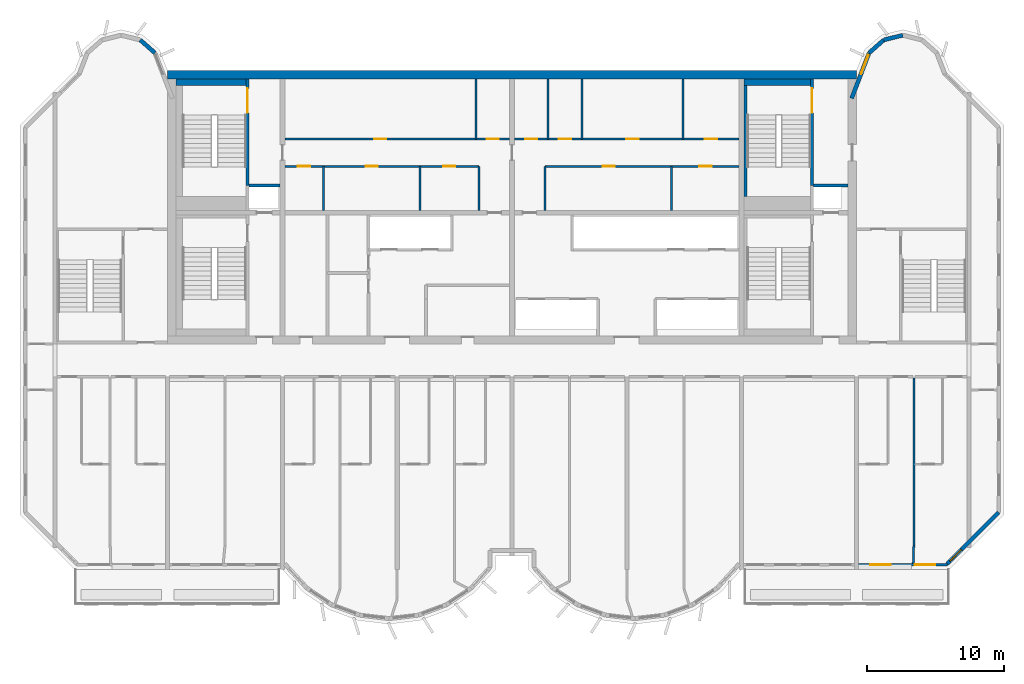
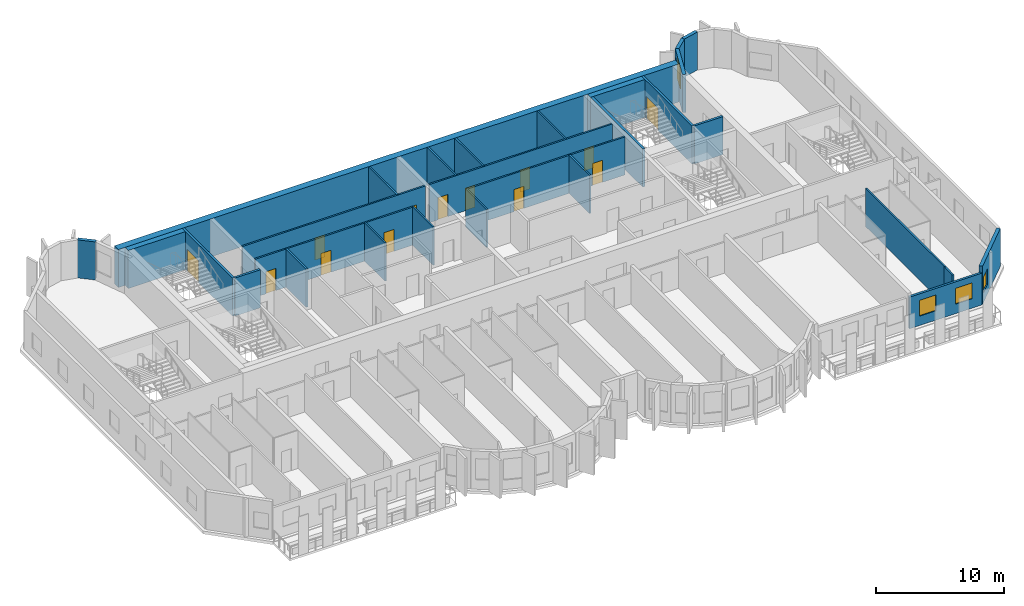
# One storey, part 7 of 11: 29 walls, 13 doors, 4 windows, 17 openings.
"""IFC4 building model written with IfcOpenShell, lengths in metres."""

from ifc_helpers import new_model, si_unit, direction, frame, frame_2d, origin, place, context, subcontext, project, spatial, rectangle, extrude, source, transform, mapped, material, layer, layer_set, type_object, element, fill, save


model = new_model("IFC4")

# Units and contexts
model_context = context("Model", 3, precision=1e-05, world=origin(), true_north=direction((0.0, 1.0)))
body_context = subcontext(model_context, "Body", "Model", "MODEL_VIEW")
ifc_project = project(units=[si_unit("LENGTHUNIT", "METRE"), si_unit("AREAUNIT", "SQUARE_METRE"), si_unit("VOLUMEUNIT", "CUBIC_METRE"), si_unit("PLANEANGLEUNIT", "RADIAN"), si_unit("MASSUNIT", "GRAM", prefix="KILO")], contexts=[model_context])

# Site, building, storey
site_placement = place(None, origin())
site = spatial("IfcSite", under=ifc_project, at=site_placement, CompositionType="ELEMENT")
building_placement = place(site_placement, origin())
building = spatial("IfcBuilding", under=site, at=building_placement, Name="Vanashikhar Sky Hotel", CompositionType="ELEMENT")
storey_placement = place(building_placement, frame((0.0, 0.0, 241.300048828125)))
storey = spatial("IfcBuildingStorey", under=building, at=storey_placement, Name="L58", CompositionType="ELEMENT", Elevation=241.300048828125)

# Wall
ifc_material_1 = material(Name="Concrete M60", Category="concrete")
ifc_layer_1 = layer(ifc_material_1, 0.60009765625)
ifc_layer_set_1 = layer_set([ifc_layer_1], Name="RC core shell wall 600 Concrete M60")
wall_type_1 = type_object("IfcWallType", Name="RC core shell wall 600 Concrete M60", PredefinedType="SHEAR", material=ifc_layer_set_1)
shared_shape_1 = source(origin(), body_context, "Body", "SweptSolid", [
    extrude(rectangle(XDim=50.400146484375, YDim=0.60009765625, at=frame_2d((25.2001953125, 0.0))), origin(), (0.0, 0.0, 1.0), 3.619873046875),
])
wall_1_placement = place(storey_placement, frame((25.199951171875, 41.699951171875, 0.0), z_axis=(0.0, 0.0, 1.0), x_axis=(1.0, 0.0, 0.0)))
element("IfcWall", 1, at=wall_1_placement, inside=storey, type_object=wall_type_1, Name="KW-L58-KN", PredefinedType="SHEAR", context=body_context, shape_type="MappedRepresentation", body=[
    mapped(shared_shape_1, transform((0.0, 0.0, 0.0), scale=1.0)),
])

# Wall, openings, windows
ifc_material_2 = material(Name="Concrete M50", Category="concrete")
ifc_layer_2 = layer(ifc_material_2, 0.199951171875)
ifc_layer_set_2 = layer_set([ifc_layer_2], Name="Front window wall 200")
wall_type_2 = type_object("IfcWallType", Name="Front window wall 200", PredefinedType="SOLIDWALL", material=ifc_layer_set_2)
shared_shape_2 = source(origin(), body_context, "Body", "SweptSolid", [
    extrude(rectangle(XDim=6.5048828125, YDim=0.199951171875, at=frame_2d((3.25244140625, 0.0))), origin(), (0.0, 0.0, 1.0), 3.02001953125),
])
wall_2_placement = place(storey_placement, frame((75.75, 5.85009765625, 0.0), z_axis=(0.0, 0.0, 1.0), x_axis=(1.0, 0.0, 0.0)))
wall_2 = element("IfcWall", 2, at=wall_2_placement, inside=storey, type_object=wall_type_2, Name="Front window wall", PredefinedType="SOLIDWALL", context=body_context, shape_type="MappedRepresentation", body=[
    mapped(shared_shape_2, transform((0.0, 0.0, 0.0), scale=1.0)),
])
shared_shape_3 = source(origin(), body_context, "Body", "SweptSolid", [
    extrude(rectangle(XDim=1.5, YDim=1.5, at=frame_2d((0.75, 0.75))), frame((0.0, 0.10986328125, 0.0), z_axis=(0.0, -1.0, 0.0), x_axis=(1.0, 0.0, 0.0)), (0.0, 0.0, 1.0), 0.219970703125),
])
opening_1_placement = place(wall_2_placement, frame((0.876220703125, 0.0, 0.89990234375)))
opening_1 = element("IfcOpeningElement", 3, at=opening_1_placement, cuts=wall_2, Name="Opening WN-1", PredefinedType="OPENING", context=body_context, shape_type="MappedRepresentation", body=[
    mapped(shared_shape_3, transform((0.0, 0.0, 0.0), scale=1.0)),
])
opening_2_placement = place(wall_2_placement, frame((4.128662109375, 0.0, 0.89990234375)))
opening_2 = element("IfcOpeningElement", 4, at=opening_2_placement, cuts=wall_2, Name="Opening WN-1", PredefinedType="OPENING", context=body_context, shape_type="MappedRepresentation", body=[
    mapped(shared_shape_3, transform((0.0, 0.0, 0.0), scale=1.0)),
])
ifc_material_3 = material(Name="Glass", Category="glass")
window_type_1 = type_object("IfcWindowType", Name="Window 1500 x 1500", PartitioningType="SINGLE_PANEL", PredefinedType="WINDOW", material=ifc_material_3)
shared_shape_4 = source(origin(), body_context, "Body", "SweptSolid", [
    extrude(rectangle(XDim=1.5, YDim=1.5, at=frame_2d((0.75, 0.75))), frame((0.0, 0.030029296875, 0.0), z_axis=(0.0, -1.0, 0.0), x_axis=(1.0, 0.0, 0.0)), (0.0, 0.0, 1.0), 0.06005859375),
])
window_1_placement = place(opening_1_placement, origin())
window_1 = element("IfcWindow", 5, at=window_1_placement, inside=storey, type_object=window_type_1, Name="Window WN-1", OverallHeight=1.5, OverallWidth=1.5, PartitioningType="SINGLE_PANEL", PredefinedType="WINDOW", context=body_context, shape_type="MappedRepresentation", body=[
    mapped(shared_shape_4, transform((0.0, 0.0, 0.0), scale=1.0)),
])
fill(opening_1, window_1)
window_2_placement = place(opening_2_placement, origin())
window_2 = element("IfcWindow", 6, at=window_2_placement, inside=storey, type_object=window_type_1, Name="Window WN-1", OverallHeight=1.5, OverallWidth=1.5, PartitioningType="SINGLE_PANEL", PredefinedType="WINDOW", context=body_context, shape_type="MappedRepresentation", body=[
    mapped(shared_shape_4, transform((0.0, 0.0, 0.0), scale=1.0)),
])
fill(opening_2, window_2)

# Wall, opening, window
ifc_layer_3 = layer(ifc_material_2, 0.300048828125)
ifc_layer_set_3 = layer_set([ifc_layer_3], Name="Lobe wall 300")
wall_type_3 = type_object("IfcWallType", Name="Lobe wall 300", PredefinedType="SOLIDWALL", material=ifc_layer_set_3)
shared_shape_5 = source(origin(), body_context, "Body", "SweptSolid", [
    extrude(rectangle(XDim=5.32568359375, YDim=0.300048828125, at=frame_2d((2.662841796875, 0.0))), origin(), (0.0, 0.0, 1.0), 3.619873046875),
])
wall_3_placement = place(storey_placement, frame((82.234375, 5.89990234375, 0.0), z_axis=(0.0, 0.0, 1.0), x_axis=(0.707083859269, 0.707129702361, 0.0)))
wall_3 = element("IfcWall", 7, at=wall_3_placement, inside=storey, type_object=wall_type_3, Name="Corner wall", PredefinedType="SOLIDWALL", context=body_context, shape_type="MappedRepresentation", body=[
    mapped(shared_shape_5, transform((0.0, 0.0, 0.0), scale=1.0)),
])
shared_shape_6 = source(origin(), body_context, "Body", "SweptSolid", [
    extrude(rectangle(XDim=1.199951171875, YDim=1.5, at=frame_2d((0.60009765625, 0.75))), frame((0.0, 0.16015625, 0.0), z_axis=(0.0, -1.0, 0.0), x_axis=(1.0, 0.0, 0.0)), (0.0, 0.0, 1.0), 0.320068359375),
])
opening_3_placement = place(wall_3_placement, frame((0.29248046875, 0.0, 0.89990234375)))
opening_3 = element("IfcOpeningElement", 8, at=opening_3_placement, cuts=wall_3, Name="Opening WN-3", PredefinedType="OPENING", context=body_context, shape_type="MappedRepresentation", body=[
    mapped(shared_shape_6, transform((0.0, 0.0, 0.0), scale=1.0)),
])
window_type_2 = type_object("IfcWindowType", Name="Corridor end window 1200 x 1500", PartitioningType="SINGLE_PANEL", PredefinedType="WINDOW", material=ifc_material_3)
shared_shape_7 = source(origin(), body_context, "Body", "SweptSolid", [
    extrude(rectangle(XDim=1.199951171875, YDim=1.5, at=frame_2d((0.60009765625, 0.75))), frame((0.0, 0.030029296875, 0.0), z_axis=(0.0, -1.0, 0.0), x_axis=(1.0, 0.0, 0.0)), (0.0, 0.0, 1.0), 0.06005859375),
])
window_3_placement = place(opening_3_placement, origin())
window_3 = element("IfcWindow", 9, at=window_3_placement, inside=storey, type_object=window_type_2, Name="Window WN-3", OverallHeight=1.5, OverallWidth=1.199951171875, PartitioningType="SINGLE_PANEL", PredefinedType="WINDOW", context=body_context, shape_type="MappedRepresentation", body=[
    mapped(shared_shape_7, transform((0.0, 0.0, 0.0), scale=1.0)),
])
fill(opening_3, window_3)

shared_shape_8 = source(origin(), body_context, "Body", "SweptSolid", [
    extrude(rectangle(XDim=3.55908203125, YDim=0.300048828125, at=frame_2d((1.779541015625, 0.0))), origin(), (0.0, 0.0, 1.0), 3.619873046875),
])
wall_4_placement = place(storey_placement, frame((76.5234375, 43.2919921875, 0.0), z_axis=(0.0, 0.0, 1.0), x_axis=(-0.35779745313, -0.933799219604, 0.0)))
wall_4 = element("IfcWall", 10, at=wall_4_placement, inside=storey, type_object=wall_type_3, Name="Lobe wall", PredefinedType="SOLIDWALL", context=body_context, shape_type="MappedRepresentation", body=[
    mapped(shared_shape_8, transform((0.0, 0.0, 0.0), scale=1.0)),
])
shared_shape_9 = source(origin(), body_context, "Body", "SweptSolid", [
    extrude(rectangle(XDim=1.5, YDim=2.0, at=frame_2d((0.75, 1.0))), frame((0.0, 0.16015625, 0.0), z_axis=(0.0, -1.0, 0.0), x_axis=(1.0, 0.0, 0.0)), (0.0, 0.0, 1.0), 0.320068359375),
])
opening_4_placement = place(wall_4_placement, frame((0.156005859375, 0.0, 0.89990234375)))
opening_4 = element("IfcOpeningElement", 11, at=opening_4_placement, cuts=wall_4, Name="Opening WN-2", PredefinedType="OPENING", context=body_context, shape_type="MappedRepresentation", body=[
    mapped(shared_shape_9, transform((0.0, 0.0, 0.0), scale=1.0)),
])
window_type_3 = type_object("IfcWindowType", Name="Lobe window 1500 x 2000", PartitioningType="SINGLE_PANEL", PredefinedType="WINDOW", material=ifc_material_3)
shared_shape_10 = source(origin(), body_context, "Body", "SweptSolid", [
    extrude(rectangle(XDim=1.5, YDim=2.0, at=frame_2d((0.75, 1.0))), frame((0.0, 0.030029296875, 0.0), z_axis=(0.0, -1.0, 0.0), x_axis=(1.0, 0.0, 0.0)), (0.0, 0.0, 1.0), 0.06005859375),
])
window_4_placement = place(opening_4_placement, origin())
window_4 = element("IfcWindow", 12, at=window_4_placement, inside=storey, type_object=window_type_3, Name="Window WN-2", OverallHeight=2.0, OverallWidth=1.5, PartitioningType="SINGLE_PANEL", PredefinedType="WINDOW", context=body_context, shape_type="MappedRepresentation", body=[
    mapped(shared_shape_10, transform((0.0, 0.0, 0.0), scale=1.0)),
])
fill(opening_4, window_4)

# Walls
shared_shape_11 = source(origin(), body_context, "Body", "SweptSolid", [
    extrude(rectangle(XDim=1.440185546875, YDim=0.300048828125, at=frame_2d((0.72021484375, 0.0))), origin(), (0.0, 0.0, 1.0), 3.619873046875),
])
wall_5_placement = place(storey_placement, frame((24.276611328125, 43.2919921875, 0.0), z_axis=(0.0, 0.0, 1.0), x_axis=(-0.749649827867, 0.661834673902, 0.0)))
element("IfcWall", 13, at=wall_5_placement, inside=storey, type_object=wall_type_3, Name="Lobe wall", PredefinedType="SOLIDWALL", context=body_context, shape_type="MappedRepresentation", body=[
    mapped(shared_shape_11, transform((0.0, 0.0, 0.0), scale=1.0)),
])
shared_shape_12 = source(origin(), body_context, "Body", "SweptSolid", [
    extrude(rectangle(XDim=1.438720703125, YDim=0.300048828125, at=frame_2d((0.71923828125, 0.0))), origin(), (0.0, 0.0, 1.0), 3.619873046875),
])
wall_6_placement = place(storey_placement, frame((79.0, 44.588134765625, 0.0), z_axis=(0.0, 0.0, 1.0), x_axis=(-0.971161932466, -0.238420848351, 0.0)))
element("IfcWall", 14, at=wall_6_placement, inside=storey, type_object=wall_type_3, Name="Lobe wall", PredefinedType="SOLIDWALL", context=body_context, shape_type="MappedRepresentation", body=[
    mapped(shared_shape_12, transform((0.0, 0.0, 0.0), scale=1.0)),
])
shared_shape_13 = source(origin(), body_context, "Body", "SweptSolid", [
    extrude(rectangle(XDim=1.43994140625, YDim=0.300048828125, at=frame_2d((0.719970703125, 0.0))), origin(), (0.0, 0.0, 1.0), 3.619873046875),
])
wall_7_placement = place(storey_placement, frame((77.602783203125, 44.2451171875, 0.0), z_axis=(0.0, 0.0, 1.0), x_axis=(-0.74957555648, -0.661918790432, 0.0)))
element("IfcWall", 15, at=wall_7_placement, inside=storey, type_object=wall_type_3, Name="Lobe wall", PredefinedType="SOLIDWALL", context=body_context, shape_type="MappedRepresentation", body=[
    mapped(shared_shape_13, transform((0.0, 0.0, 0.0), scale=1.0)),
])
ifc_material_4 = material(Name="Gypsum board partition")
ifc_layer_4 = layer(ifc_material_4, 0.14990234375)
ifc_layer_set_4 = layer_set([ifc_layer_4], Name="Service partition 150")
wall_type_4 = type_object("IfcWallType", Name="Service partition 150", PredefinedType="PARTITIONING", material=ifc_layer_set_4)
shared_shape_14 = source(origin(), body_context, "Body", "SweptSolid", [
    extrude(rectangle(XDim=3.22509765625, YDim=0.14990234375, at=frame_2d((1.612548828125, 0.0))), origin(), (0.0, 0.0, 1.0), 3.619873046875),
])
for number, where, z_axis, x_axis, name in (
    (16, (48.0, 31.77490234375, 0.0), (0.0, 0.0, 1.0), (0.0, 1.0, 0.0), "Service partition 150"),
    (17, (36.60498046875, 31.77490234375, 0.0), (0.0, 0.0, 1.0), (0.0, 1.0, 0.0), "Service partition 150"),
    (18, (43.679931640625, 31.77490234375, 0.0), (0.0, 0.0, 1.0), (0.0, 1.0, 0.0), "Service partition 150"),
    (19, (52.800048828125, 31.77490234375, 0.0), (0.0, 0.0, 1.0), (0.0, 1.0, 0.0), "Service partition 150"),
    (20, (62.072021484375, 31.77490234375, 0.0), (0.0, 0.0, 1.0), (0.0, 1.0, 0.0), "Service partition 150"),
):
    element("IfcWall", number, at=place(storey_placement, frame(where, z_axis=z_axis, x_axis=x_axis)), inside=storey, type_object=wall_type_4, Name=name, PredefinedType="PARTITIONING", context=body_context, shape_type="MappedRepresentation", body=[
        mapped(shared_shape_14, transform((0.0, 0.0, 0.0), scale=1.0)),
    ])

# Wall, openings, doors
shared_shape_15 = source(origin(), body_context, "Body", "SweptSolid", [
    extrude(rectangle(XDim=14.22509765625, YDim=0.14990234375, at=frame_2d((7.112548828125, 0.0))), origin(), (0.0, 0.0, 1.0), 3.619873046875),
])
wall_8_placement = place(storey_placement, frame((33.77490234375, 35.0, 0.0), z_axis=(0.0, 0.0, 1.0), x_axis=(1.0, 0.0, 0.0)))
wall_8 = element("IfcWall", 21, at=wall_8_placement, inside=storey, type_object=wall_type_4, Name="Service partition 150", PredefinedType="PARTITIONING", context=body_context, shape_type="MappedRepresentation", body=[
    mapped(shared_shape_15, transform((0.0, 0.0, 0.0), scale=1.0)),
])
shared_shape_16 = source(origin(), body_context, "Body", "SweptSolid", [
    extrude(rectangle(XDim=0.89990234375, YDim=2.10009765625, at=frame_2d((0.449951171875, 1.050048828125))), frame((0.0, 0.0849609375, 0.0), z_axis=(0.0, -1.0, 0.0), x_axis=(1.0, 0.0, 0.0)), (0.0, 0.0, 1.0), 0.169921875),
])
opening_5_placement = place(wall_8_placement, frame((0.965087890625, 0.0, 0.0)))
opening_5 = element("IfcOpeningElement", 22, at=opening_5_placement, cuts=wall_8, Name="Opening DC-4-A", PredefinedType="OPENING", context=body_context, shape_type="MappedRepresentation", body=[
    mapped(shared_shape_16, transform((0.0, 0.0, 0.0), scale=1.0)),
])
opening_6_placement = place(wall_8_placement, frame((5.9169921875, 0.0, 0.0)))
opening_6 = element("IfcOpeningElement", 23, at=opening_6_placement, cuts=wall_8, Name="Opening DC-4-A", PredefinedType="OPENING", context=body_context, shape_type="MappedRepresentation", body=[
    mapped(shared_shape_16, transform((0.0, 0.0, 0.0), scale=1.0)),
])
opening_7_placement = place(wall_8_placement, frame((11.576904296875, 0.0, 0.0)))
opening_7 = element("IfcOpeningElement", 24, at=opening_7_placement, cuts=wall_8, Name="Opening DC-4-A", PredefinedType="OPENING", context=body_context, shape_type="MappedRepresentation", body=[
    mapped(shared_shape_16, transform((0.0, 0.0, 0.0), scale=1.0)),
])
ifc_material_5 = material(Name="Steel", Category="steel")
door_type_1 = type_object("IfcDoorType", Name="Service door 900 FD60", OperationType="NOTDEFINED", PredefinedType="DOOR", material=ifc_material_5)
shared_shape_17 = source(origin(), body_context, "Body", "SweptSolid", [
    extrude(rectangle(XDim=0.89990234375, YDim=2.10009765625, at=frame_2d((0.449951171875, 1.050048828125))), frame((0.0, 0.02490234375, 0.0), z_axis=(0.0, -1.0, 0.0), x_axis=(1.0, 0.0, 0.0)), (0.0, 0.0, 1.0), 0.050048828125),
])
door_1_placement = place(opening_5_placement, origin())
door_1 = element("IfcDoor", 25, at=door_1_placement, inside=storey, type_object=door_type_1, Name="Service door 900 FD60", OperationType="SINGLE_SWING_LEFT", OverallHeight=2.10009765625, OverallWidth=0.89990234375, PredefinedType="DOOR", context=body_context, shape_type="MappedRepresentation", body=[
    mapped(shared_shape_17, transform((0.0, 0.0, 0.0), scale=1.0)),
])
fill(opening_5, door_1)
door_2_placement = place(opening_6_placement, origin())
door_2 = element("IfcDoor", 26, at=door_2_placement, inside=storey, type_object=door_type_1, Name="Service door 900 FD60", OperationType="SINGLE_SWING_LEFT", OverallHeight=2.10009765625, OverallWidth=0.89990234375, PredefinedType="DOOR", context=body_context, shape_type="MappedRepresentation", body=[
    mapped(shared_shape_17, transform((0.0, 0.0, 0.0), scale=1.0)),
])
fill(opening_6, door_2)
door_3_placement = place(opening_7_placement, origin())
door_3 = element("IfcDoor", 27, at=door_3_placement, inside=storey, type_object=door_type_1, Name="Service door 900 FD60", OperationType="SINGLE_SWING_LEFT", OverallHeight=2.10009765625, OverallWidth=0.89990234375, PredefinedType="DOOR", context=body_context, shape_type="MappedRepresentation", body=[
    mapped(shared_shape_17, transform((0.0, 0.0, 0.0), scale=1.0)),
])
fill(opening_7, door_3)

shared_shape_18 = source(origin(), body_context, "Body", "SweptSolid", [
    extrude(rectangle(XDim=16.4501953125, YDim=0.14990234375, at=frame_2d((8.22509765625, 0.0))), origin(), (0.0, 0.0, 1.0), 3.619873046875),
])
wall_9_placement = place(storey_placement, frame((33.77490234375, 37.0, 0.0), z_axis=(0.0, 0.0, 1.0), x_axis=(1.0, 0.0, 0.0)))
wall_9 = element("IfcWall", 28, at=wall_9_placement, inside=storey, type_object=wall_type_4, Name="Service partition 150", PredefinedType="PARTITIONING", context=body_context, shape_type="MappedRepresentation", body=[
    mapped(shared_shape_18, transform((0.0, 0.0, 0.0), scale=1.0)),
])
opening_8_placement = place(wall_9_placement, frame((6.541015625, 0.0, 0.0)))
opening_8 = element("IfcOpeningElement", 29, at=opening_8_placement, cuts=wall_9, Name="Opening DC-4-A", PredefinedType="OPENING", context=body_context, shape_type="MappedRepresentation", body=[
    mapped(shared_shape_16, transform((0.0, 0.0, 0.0), scale=1.0)),
])
opening_9_placement = place(wall_9_placement, frame((14.76611328125, 0.0, 0.0)))
opening_9 = element("IfcOpeningElement", 30, at=opening_9_placement, cuts=wall_9, Name="Opening DC-4-A", PredefinedType="OPENING", context=body_context, shape_type="MappedRepresentation", body=[
    mapped(shared_shape_16, transform((0.0, 0.0, 0.0), scale=1.0)),
])
door_4_placement = place(opening_8_placement, origin())
door_4 = element("IfcDoor", 31, at=door_4_placement, inside=storey, type_object=door_type_1, Name="Service door 900 FD60", OperationType="SINGLE_SWING_RIGHT", OverallHeight=2.10009765625, OverallWidth=0.89990234375, PredefinedType="DOOR", context=body_context, shape_type="MappedRepresentation", body=[
    mapped(shared_shape_17, transform((0.0, 0.0, 0.0), scale=1.0)),
])
fill(opening_8, door_4)
door_5_placement = place(opening_9_placement, origin())
door_5 = element("IfcDoor", 32, at=door_5_placement, inside=storey, type_object=door_type_1, Name="Service door 900 FD60", OperationType="SINGLE_SWING_LEFT", OverallHeight=2.10009765625, OverallWidth=0.89990234375, PredefinedType="DOOR", context=body_context, shape_type="MappedRepresentation", body=[
    mapped(shared_shape_17, transform((0.0, 0.0, 0.0), scale=1.0)),
])
fill(opening_9, door_5)

# Walls
shared_shape_19 = source(origin(), body_context, "Body", "SweptSolid", [
    extrude(rectangle(XDim=4.39990234375, YDim=0.14990234375, at=frame_2d((2.199951171875, 0.0))), origin(), (0.0, 0.0, 1.0), 3.619873046875),
])
for number, where, z_axis, x_axis, name in (
    (33, (47.758056640625, 37.0, 0.0), (0.0, 0.0, 1.0), (0.0, 1.0, 0.0), "Service partition 150"),
    (34, (62.912109375, 37.0, 0.0), (0.0, 0.0, 1.0), (0.0, 1.0, 0.0), "Service partition 150"),
    (35, (55.510009765625, 37.0, 0.0), (0.0, 0.0, 1.0), (0.0, 1.0, 0.0), "Service partition 150"),
    (36, (53.0419921875, 37.0, 0.0), (0.0, 0.0, 1.0), (0.0, 1.0, 0.0), "Service partition 150"),
):
    element("IfcWall", number, at=place(storey_placement, frame(where, z_axis=z_axis, x_axis=x_axis)), inside=storey, type_object=wall_type_4, Name=name, PredefinedType="PARTITIONING", context=body_context, shape_type="MappedRepresentation", body=[
        mapped(shared_shape_19, transform((0.0, 0.0, 0.0), scale=1.0)),
    ])

# Wall, openings, doors
shared_shape_20 = source(origin(), body_context, "Body", "SweptSolid", [
    extrude(rectangle(XDim=14.224853515625, YDim=0.14990234375, at=frame_2d((7.1123046875, 0.0))), origin(), (0.0, 0.0, 1.0), 3.619873046875),
])
wall_10_placement = place(storey_placement, frame((67.02490234375, 35.0, 0.0), z_axis=(0.0, 0.0, 1.0), x_axis=(-1.0, 0.0, 0.0)))
wall_10 = element("IfcWall", 37, at=wall_10_placement, inside=storey, type_object=wall_type_4, Name="Service partition 150", PredefinedType="PARTITIONING", context=body_context, shape_type="MappedRepresentation", body=[
    mapped(shared_shape_20, transform((0.0, 0.0, 0.0), scale=1.0)),
])
opening_10_placement = place(wall_10_placement, frame((2.02587890625, 0.0, 0.0)))
opening_10 = element("IfcOpeningElement", 38, at=opening_10_placement, cuts=wall_10, Name="Opening DC-4-A", PredefinedType="OPENING", context=body_context, shape_type="MappedRepresentation", body=[
    mapped(shared_shape_16, transform((0.0, 0.0, 0.0), scale=1.0)),
])
opening_11_placement = place(wall_10_placement, frame((9.10107421875, 0.0, 0.0)))
opening_11 = element("IfcOpeningElement", 39, at=opening_11_placement, cuts=wall_10, Name="Opening DC-4-A", PredefinedType="OPENING", context=body_context, shape_type="MappedRepresentation", body=[
    mapped(shared_shape_16, transform((0.0, 0.0, 0.0), scale=1.0)),
])
door_6_placement = place(opening_10_placement, origin())
door_6 = element("IfcDoor", 40, at=door_6_placement, inside=storey, type_object=door_type_1, Name="Service door 900 FD60", OperationType="SINGLE_SWING_LEFT", OverallHeight=2.10009765625, OverallWidth=0.89990234375, PredefinedType="DOOR", context=body_context, shape_type="MappedRepresentation", body=[
    mapped(shared_shape_17, transform((0.0, 0.0, 0.0), scale=1.0)),
])
fill(opening_10, door_6)
door_7_placement = place(opening_11_placement, origin())
door_7 = element("IfcDoor", 41, at=door_7_placement, inside=storey, type_object=door_type_1, Name="Service door 900 FD60", OperationType="SINGLE_SWING_RIGHT", OverallHeight=2.10009765625, OverallWidth=0.89990234375, PredefinedType="DOOR", context=body_context, shape_type="MappedRepresentation", body=[
    mapped(shared_shape_17, transform((0.0, 0.0, 0.0), scale=1.0)),
])
fill(opening_11, door_7)

shared_shape_21 = source(origin(), body_context, "Body", "SweptSolid", [
    extrude(rectangle(XDim=16.449951171875, YDim=0.14990234375, at=frame_2d((8.22509765625, 0.0))), origin(), (0.0, 0.0, 1.0), 3.619873046875),
])
wall_11_placement = place(storey_placement, frame((67.02490234375, 37.0, 0.0), z_axis=(0.0, 0.0, 1.0), x_axis=(-1.0, 0.0, 0.0)))
wall_11 = element("IfcWall", 42, at=wall_11_placement, inside=storey, type_object=wall_type_4, Name="Service partition 150", PredefinedType="PARTITIONING", context=body_context, shape_type="MappedRepresentation", body=[
    mapped(shared_shape_21, transform((0.0, 0.0, 0.0), scale=1.0)),
])
opening_12_placement = place(wall_11_placement, frame((1.60595703125, 0.0, 0.0)))
opening_12 = element("IfcOpeningElement", 43, at=opening_12_placement, cuts=wall_11, Name="Opening DC-4-A", PredefinedType="OPENING", context=body_context, shape_type="MappedRepresentation", body=[
    mapped(shared_shape_16, transform((0.0, 0.0, 0.0), scale=1.0)),
])
opening_13_placement = place(wall_11_placement, frame((7.364013671875, 0.0, 0.0)))
opening_13 = element("IfcOpeningElement", 44, at=opening_13_placement, cuts=wall_11, Name="Opening DC-4-A", PredefinedType="OPENING", context=body_context, shape_type="MappedRepresentation", body=[
    mapped(shared_shape_16, transform((0.0, 0.0, 0.0), scale=1.0)),
])
opening_14_placement = place(wall_11_placement, frame((12.299072265625, 0.0, 0.0)))
opening_14 = element("IfcOpeningElement", 45, at=opening_14_placement, cuts=wall_11, Name="Opening DC-4-A", PredefinedType="OPENING", context=body_context, shape_type="MappedRepresentation", body=[
    mapped(shared_shape_16, transform((0.0, 0.0, 0.0), scale=1.0)),
])
opening_15_placement = place(wall_11_placement, frame((14.76611328125, 0.0, 0.0)))
opening_15 = element("IfcOpeningElement", 46, at=opening_15_placement, cuts=wall_11, Name="Opening DC-4-A", PredefinedType="OPENING", context=body_context, shape_type="MappedRepresentation", body=[
    mapped(shared_shape_16, transform((0.0, 0.0, 0.0), scale=1.0)),
])
door_8_placement = place(opening_12_placement, origin())
door_8 = element("IfcDoor", 47, at=door_8_placement, inside=storey, type_object=door_type_1, Name="Service door 900 FD60", OperationType="SINGLE_SWING_RIGHT", OverallHeight=2.10009765625, OverallWidth=0.89990234375, PredefinedType="DOOR", context=body_context, shape_type="MappedRepresentation", body=[
    mapped(shared_shape_17, transform((0.0, 0.0, 0.0), scale=1.0)),
])
fill(opening_12, door_8)
door_9_placement = place(opening_13_placement, origin())
door_9 = element("IfcDoor", 48, at=door_9_placement, inside=storey, type_object=door_type_1, Name="Service door 900 FD60", OperationType="SINGLE_SWING_LEFT", OverallHeight=2.10009765625, OverallWidth=0.89990234375, PredefinedType="DOOR", context=body_context, shape_type="MappedRepresentation", body=[
    mapped(shared_shape_17, transform((0.0, 0.0, 0.0), scale=1.0)),
])
fill(opening_13, door_9)
door_10_placement = place(opening_14_placement, origin())
door_10 = element("IfcDoor", 49, at=door_10_placement, inside=storey, type_object=door_type_1, Name="Service door 900 FD60", OperationType="SINGLE_SWING_LEFT", OverallHeight=2.10009765625, OverallWidth=0.89990234375, PredefinedType="DOOR", context=body_context, shape_type="MappedRepresentation", body=[
    mapped(shared_shape_17, transform((0.0, 0.0, 0.0), scale=1.0)),
])
fill(opening_14, door_10)
door_11_placement = place(opening_15_placement, origin())
door_11 = element("IfcDoor", 50, at=door_11_placement, inside=storey, type_object=door_type_1, Name="Service door 900 FD60", OperationType="SINGLE_SWING_LEFT", OverallHeight=2.10009765625, OverallWidth=0.89990234375, PredefinedType="DOOR", context=body_context, shape_type="MappedRepresentation", body=[
    mapped(shared_shape_17, transform((0.0, 0.0, 0.0), scale=1.0)),
])
fill(opening_15, door_11)

# Wall
ifc_material_6 = material(Name="Concrete M40", Category="concrete")
ifc_layer_5 = layer(ifc_material_6, 0.199951171875)
ifc_layer_set_5 = layer_set([ifc_layer_5], Name="Shaft wall 200")
wall_type_5 = type_object("IfcWallType", Name="Shaft wall 200", PredefinedType="SOLIDWALL", material=ifc_layer_set_5)
shared_shape_22 = source(origin(), body_context, "Body", "SweptSolid", [
    extrude(rectangle(XDim=2.275146484375, YDim=0.199951171875, at=frame_2d((1.1376953125, 0.0))), origin(), (0.0, 0.0, 1.0), 3.619873046875),
])
wall_12_placement = place(storey_placement, frame((31.14990234375, 33.60009765625, 0.0), z_axis=(0.0, 0.0, 1.0), x_axis=(1.0, 0.0, 0.0)))
element("IfcWall", 51, at=wall_12_placement, inside=storey, type_object=wall_type_5, Name="Shaft wall 200", PredefinedType="SOLIDWALL", context=body_context, shape_type="MappedRepresentation", body=[
    mapped(shared_shape_22, transform((0.0, 0.0, 0.0), scale=1.0)),
])

# Wall, opening, door
ifc_layer_6 = layer(ifc_material_2, 0.199951171875)
ifc_layer_set_6 = layer_set([ifc_layer_6], Name="Stair wall 200")
wall_type_6 = type_object("IfcWallType", Name="Stair wall 200", PredefinedType="SOLIDWALL", material=ifc_layer_set_6)
shared_shape_23 = source(origin(), body_context, "Body", "SweptSolid", [
    extrude(rectangle(XDim=7.7998046875, YDim=0.199951171875, at=frame_2d((3.89990234375, 0.0))), origin(), (0.0, 0.0, 1.0), 3.619873046875),
])
wall_13_placement = place(storey_placement, frame((31.050048828125, 33.60009765625, 0.0), z_axis=(0.0, 0.0, 1.0), x_axis=(0.0, 1.0, 0.0)))
wall_13 = element("IfcWall", 52, at=wall_13_placement, inside=storey, type_object=wall_type_6, Name="Stair wall 200", PredefinedType="SOLIDWALL", context=body_context, shape_type="MappedRepresentation", body=[
    mapped(shared_shape_23, transform((0.0, 0.0, 0.0), scale=1.0)),
])
shared_shape_24 = source(origin(), body_context, "Body", "SweptSolid", [
    extrude(rectangle(XDim=1.800048828125, YDim=2.10009765625, at=frame_2d((0.89990234375, 1.050048828125))), frame((0.0, 0.10986328125, 0.0), z_axis=(0.0, -1.0, 0.0), x_axis=(1.0, 0.0, 0.0)), (0.0, 0.0, 1.0), 0.219970703125),
])
opening_16_placement = place(wall_13_placement, frame((5.300048828125, 0.0, 0.0)))
opening_16 = element("IfcOpeningElement", 53, at=opening_16_placement, cuts=wall_13, Name="Opening DC-1-A", PredefinedType="OPENING", context=body_context, shape_type="MappedRepresentation", body=[
    mapped(shared_shape_24, transform((0.0, 0.0, 0.0), scale=1.0)),
])
door_type_2 = type_object("IfcDoorType", Name="Stair door 1800 FD120", OperationType="NOTDEFINED", PredefinedType="DOOR", material=ifc_material_5)
shared_shape_25 = source(origin(), body_context, "Body", "SweptSolid", [
    extrude(rectangle(XDim=1.800048828125, YDim=2.10009765625, at=frame_2d((0.89990234375, 1.050048828125))), frame((0.0, 0.02490234375, 0.0), z_axis=(0.0, -1.0, 0.0), x_axis=(1.0, 0.0, 0.0)), (0.0, 0.0, 1.0), 0.050048828125),
])
door_12_placement = place(opening_16_placement, origin())
door_12 = element("IfcDoor", 54, at=door_12_placement, inside=storey, type_object=door_type_2, Name="Stair door 1800 FD120", OperationType="SINGLE_SWING_LEFT", OverallHeight=2.10009765625, OverallWidth=1.800048828125, PredefinedType="DOOR", context=body_context, shape_type="MappedRepresentation", body=[
    mapped(shared_shape_25, transform((0.0, 0.0, 0.0), scale=1.0)),
])
fill(opening_16, door_12)

wall_14_placement = place(storey_placement, frame((72.35009765625, 33.60009765625, 0.0), z_axis=(0.0, 0.0, 1.0), x_axis=(0.0, 1.0, 0.0)))
wall_14 = element("IfcWall", 55, at=wall_14_placement, inside=storey, type_object=wall_type_6, Name="Stair wall 200", PredefinedType="SOLIDWALL", context=body_context, shape_type="MappedRepresentation", body=[
    mapped(shared_shape_23, transform((0.0, 0.0, 0.0), scale=1.0)),
])
opening_17_placement = place(wall_14_placement, frame((5.300048828125, 0.0, 0.0)))
opening_17 = element("IfcOpeningElement", 56, at=opening_17_placement, cuts=wall_14, Name="Opening DC-1-A", PredefinedType="OPENING", context=body_context, shape_type="MappedRepresentation", body=[
    mapped(shared_shape_24, transform((0.0, 0.0, 0.0), scale=1.0)),
])
door_13_placement = place(opening_17_placement, origin())
door_13 = element("IfcDoor", 57, at=door_13_placement, inside=storey, type_object=door_type_2, Name="Stair door 1800 FD120", OperationType="SINGLE_SWING_LEFT", OverallHeight=2.10009765625, OverallWidth=1.800048828125, PredefinedType="DOOR", context=body_context, shape_type="MappedRepresentation", body=[
    mapped(shared_shape_25, transform((0.0, 0.0, 0.0), scale=1.0)),
])
fill(opening_17, door_13)

# Walls
shared_shape_26 = source(origin(), body_context, "Body", "SweptSolid", [
    extrude(rectangle(XDim=2.550048828125, YDim=0.199951171875, at=frame_2d((1.27490234375, 0.0))), origin(), (0.0, 0.0, 1.0), 3.619873046875),
])
wall_15_placement = place(storey_placement, frame((72.449951171875, 33.60009765625, 0.0), z_axis=(0.0, 0.0, 1.0), x_axis=(1.0, 0.0, 0.0)))
element("IfcWall", 58, at=wall_15_placement, inside=storey, type_object=wall_type_5, Name="Shaft wall 200", PredefinedType="SOLIDWALL", context=body_context, shape_type="MappedRepresentation", body=[
    mapped(shared_shape_26, transform((0.0, 0.0, 0.0), scale=1.0)),
])
ifc_layer_7 = layer(ifc_material_2, 0.5)
ifc_layer_set_7 = layer_set([ifc_layer_7], Name="Stair infill wall 500")
wall_type_7 = type_object("IfcWallType", Name="Stair infill wall 500", PredefinedType="SOLIDWALL", material=ifc_layer_set_7)
shared_shape_27 = source(origin(), body_context, "Body", "SweptSolid", [
    extrude(rectangle(XDim=5.14990234375, YDim=0.5, at=frame_2d((2.574951171875, 0.0))), origin(), (0.0, 0.0, 1.0), 3.619873046875),
])
wall_16_placement = place(storey_placement, frame((25.800048828125, 41.14990234375, 0.0), z_axis=(0.0, 0.0, 1.0), x_axis=(1.0, 0.0, 0.0)))
element("IfcWall", 59, at=wall_16_placement, inside=storey, type_object=wall_type_7, Name="Stair infill wall 500", PredefinedType="SOLIDWALL", context=body_context, shape_type="MappedRepresentation", body=[
    mapped(shared_shape_27, transform((0.0, 0.0, 0.0), scale=1.0)),
])
shared_shape_28 = source(origin(), body_context, "Body", "SweptSolid", [
    extrude(rectangle(XDim=4.875, YDim=0.5, at=frame_2d((2.4375, 0.0))), origin(), (0.0, 0.0, 1.0), 3.619873046875),
])
wall_17_placement = place(storey_placement, frame((67.375, 41.14990234375, 0.0), z_axis=(0.0, 0.0, 1.0), x_axis=(1.0, 0.0, 0.0)))
element("IfcWall", 60, at=wall_17_placement, inside=storey, type_object=wall_type_7, Name="Stair infill wall 500", PredefinedType="SOLIDWALL", context=body_context, shape_type="MappedRepresentation", body=[
    mapped(shared_shape_28, transform((0.0, 0.0, 0.0), scale=1.0)),
])
ifc_layer_8 = layer(ifc_material_2, 0.22509765625)
ifc_layer_set_8 = layer_set([ifc_layer_8], Name="Stair infill wall 225")
wall_type_8 = type_object("IfcWallType", Name="Stair infill wall 225", PredefinedType="SOLIDWALL", material=ifc_layer_set_8)
shared_shape_29 = source(origin(), body_context, "Body", "SweptSolid", [
    extrude(rectangle(XDim=8.099853515625, YDim=0.22509765625, at=frame_2d((4.0498046875, 0.0))), origin(), (0.0, 0.0, 1.0), 3.619873046875),
])
wall_18_placement = place(storey_placement, frame((67.487060546875, 32.800048828125, 0.0), z_axis=(0.0, 0.0, 1.0), x_axis=(0.0, 1.0, 0.0)))
element("IfcWall", 61, at=wall_18_placement, inside=storey, type_object=wall_type_8, Name="Stair infill wall 225", PredefinedType="SOLIDWALL", context=body_context, shape_type="MappedRepresentation", body=[
    mapped(shared_shape_29, transform((0.0, 0.0, 0.0), scale=1.0)),
])
ifc_material_7 = material(Name="Gypsum plasterboard partition")
ifc_layer_9 = layer(ifc_material_7, 0.14990234375)
ifc_layer_set_9 = layer_set([ifc_layer_9], Name="Corridor and demising partition 150")
wall_type_9 = type_object("IfcWallType", Name="Corridor and demising partition 150", PredefinedType="PARTITIONING", material=ifc_layer_set_9)
shared_shape_30 = source(origin(), body_context, "Body", "SweptSolid", [
    extrude(rectangle(XDim=12.27490234375, YDim=0.14990234375, at=frame_2d((6.137451171875, 0.0))), origin(), (0.0, 0.0, 1.0), 3.619873046875),
])
wall_19_placement = place(storey_placement, frame((79.800048828125, 7.25, 0.0), z_axis=(0.0, 0.0, 1.0), x_axis=(0.0, 1.0, 0.0)))
element("IfcWall", 62, at=wall_19_placement, inside=storey, type_object=wall_type_9, Name="W-L58-PW038", PredefinedType="PARTITIONING", context=body_context, shape_type="MappedRepresentation", body=[
    mapped(shared_shape_30, transform((0.0, 0.0, 0.0), scale=1.0)),
])
shared_shape_31 = source(origin(), body_context, "Body", "SweptSolid", [
    extrude(rectangle(XDim=1.30078125, YDim=0.14990234375, at=frame_2d((0.650390625, 0.0))), origin(), (0.0, 0.0, 1.0), 3.619873046875),
])
wall_20_placement = place(storey_placement, frame((79.759033203125, 5.949951171875, 0.0), z_axis=(0.0, 0.0, 1.0), x_axis=(0.031533606063, 0.999502692187, 0.0)))
element("IfcWall", 63, at=wall_20_placement, inside=storey, type_object=wall_type_9, Name="W-L58-PW038B0", PredefinedType="PARTITIONING", context=body_context, shape_type="MappedRepresentation", body=[
    mapped(shared_shape_31, transform((0.0, 0.0, 0.0), scale=1.0)),
])

save(model, "model.ifc")
